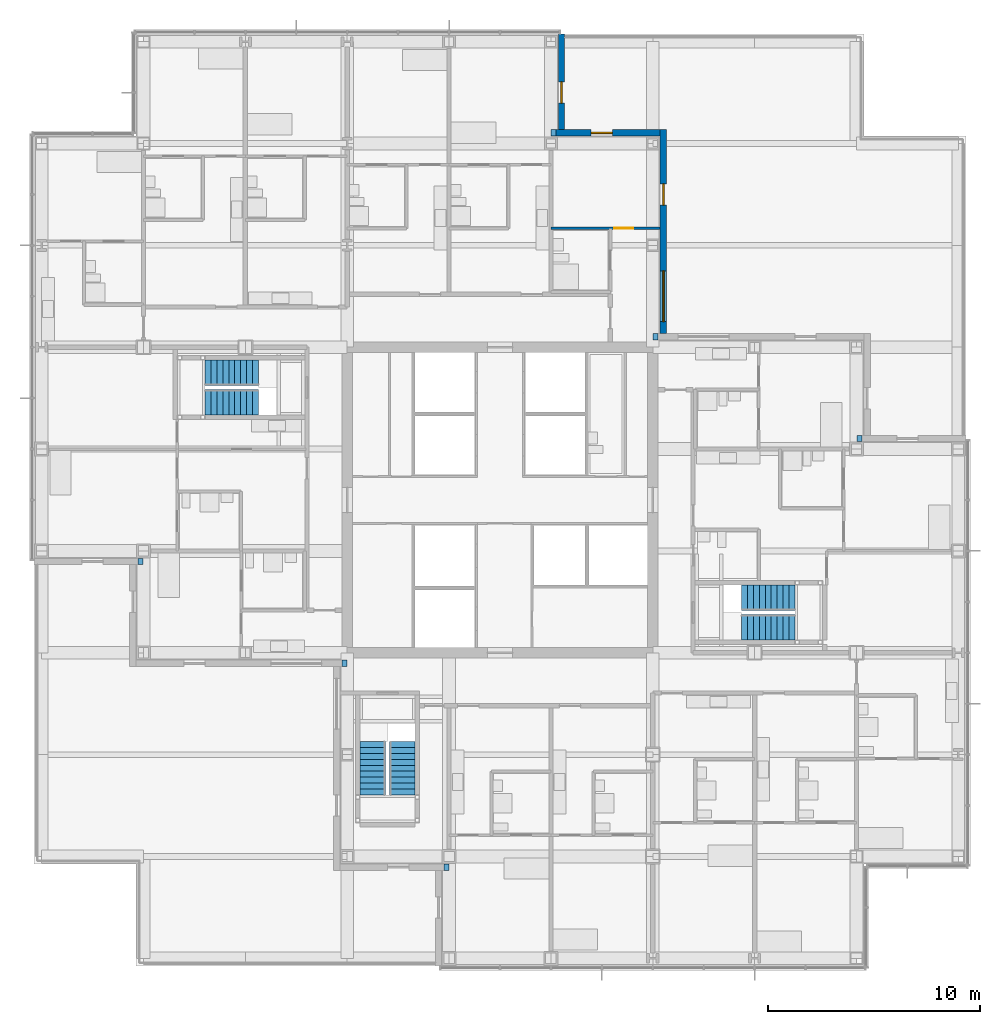
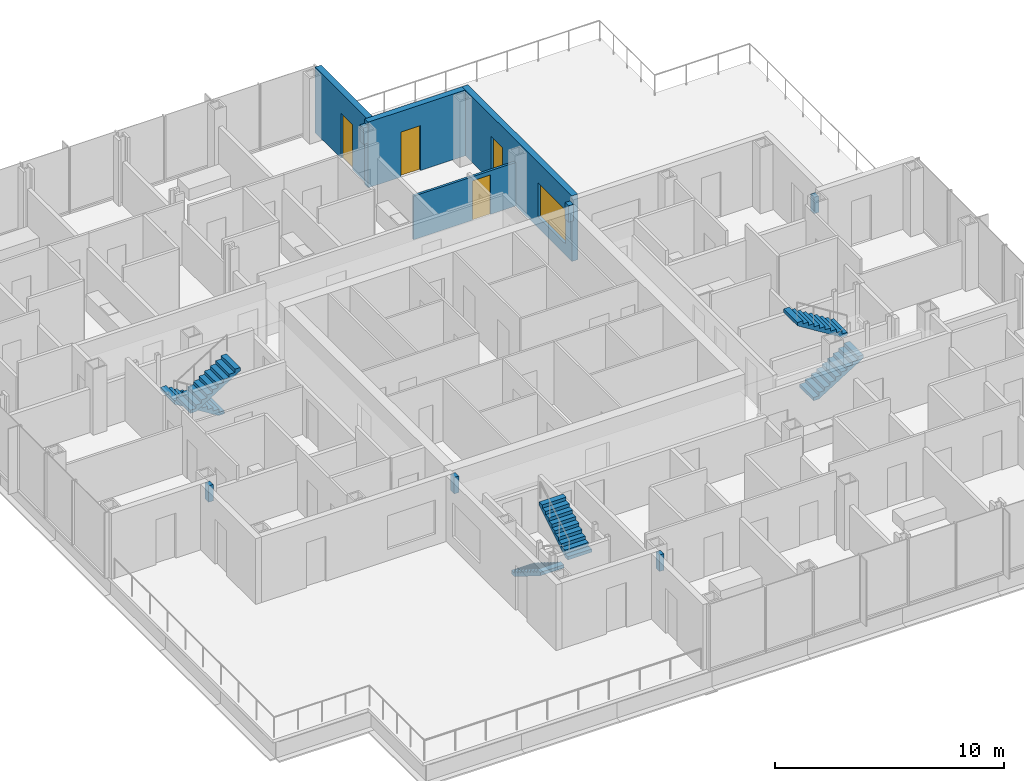
# One storey, part 16 of 19: 10 walls, 6 stair flights, 4 doors, 1 window, 5 openings, 3 elements without a shape of their own.
"""IFC4 building model written with IfcOpenShell, lengths in metres."""

import ifcopenshell
import ifcopenshell.guid

model = None  # the IFC model being written
_history = None  # IfcOwnerHistory: only IFC2X3 demands one
_inside = {}  # id of a spatial element -> (the spatial element, [elements in it])
_under = {}  # id of a project, library or spatial element -> (it, [spatial elements below it])
_declared = {}  # id of a project -> (the project, [libraries it declares])
_typed = {}  # id of a type object -> (the type object, [elements of that type])
_made_of = {}  # id of a material, layer set ... -> (it, [elements and type objects made of it])


def new_model(schema):
    """Start an empty IFC model of exactly this schema.

    Asked for "IFC4X3", IfcOpenShell would pick the latest addendum, in which some entities
    have other attributes; the version numbers below select the first issue.
    IFC2X3 requires an IfcOwnerHistory on every rooted entity: one is made here for all.
    """
    global model, _history
    if schema == "IFC4X3":
        model = ifcopenshell.file(schema_version=(4, 3, 0, 0))
    else:
        model = ifcopenshell.file(schema=schema)
    _inside.clear()
    _under.clear()
    _declared.clear()
    _typed.clear()
    _made_of.clear()
    _history = None
    if model.schema == "IFC2X3":
        org = make("IfcOrganization", Name="unknown")
        user = make(
            "IfcPersonAndOrganization",
            ThePerson=make("IfcPerson", FamilyName="unknown"),
            TheOrganization=org,
        )
        app = make(
            "IfcApplication",
            ApplicationDeveloper=org,
            Version="unknown",
            ApplicationFullName="unknown",
            ApplicationIdentifier="unknown",
        )
        _history = make(
            "IfcOwnerHistory",
            OwningUser=user,
            OwningApplication=app,
            ChangeAction="ADDED",
            CreationDate=0,
        )
    return model


def make(cls, **values):
    """One entity of the class cls with the attributes given. An attribute that is None is left unset."""
    return model.create_entity(
        cls, **{name: value for name, value in values.items() if value is not None}
    )


def rooted(cls, **values):
    """An entity with a GlobalId (a new one), such as an element, a storey or a relation."""
    return make(cls, GlobalId=ifcopenshell.guid.new(), OwnerHistory=_history, **values)


def si_unit(unit_type, name, prefix=None):
    """IfcSIUnit, for example si_unit("LENGTHUNIT", "METRE", prefix="MILLI")."""
    return make("IfcSIUnit", UnitType=unit_type, Prefix=prefix, Name=name)


def assignment(units):
    """IfcUnitAssignment: the units of a project."""
    return None if units is None else make("IfcUnitAssignment", Units=units)


def point(xyz):
    """IfcCartesianPoint."""
    return None if xyz is None else make("IfcCartesianPoint", Coordinates=xyz)


def direction(xyz):
    """IfcDirection."""
    return None if xyz is None else make("IfcDirection", DirectionRatios=xyz)


def frame(location, z_axis=None, x_axis=None):
    """IfcAxis2Placement3D, a coordinate frame: its origin and axes. An axis left out is left unset."""
    return make(
        "IfcAxis2Placement3D",
        Location=point(location),
        Axis=direction(z_axis),
        RefDirection=direction(x_axis),
    )


def frame_2d(location, x_axis=None):
    """IfcAxis2Placement2D, a coordinate frame in the plane: its origin and x axis."""
    return make(
        "IfcAxis2Placement2D", Location=point(location), RefDirection=direction(x_axis)
    )


def origin():
    """The frame at (0, 0, 0) with its axes left unset."""
    return frame((0.0, 0.0, 0.0))


def place(relative_to, where):
    """IfcLocalPlacement: puts the frame where relative to a parent placement (None: the world)."""
    return make(
        "IfcLocalPlacement", PlacementRelTo=relative_to, RelativePlacement=where
    )


def context(
    kind, dimensions, precision=None, world=None, true_north=None, identifier=None
):
    """IfcGeometricRepresentationContext, for example the 3D "Model" context."""
    return make(
        "IfcGeometricRepresentationContext",
        ContextIdentifier=identifier,
        ContextType=kind,
        CoordinateSpaceDimension=dimensions,
        Precision=precision,
        WorldCoordinateSystem=world,
        TrueNorth=true_north,
    )


def subcontext(parent, identifier, kind, view, scale=None):
    """IfcGeometricRepresentationSubContext, for example "Body" below "Model"."""
    return make(
        "IfcGeometricRepresentationSubContext",
        ContextIdentifier=identifier,
        ContextType=kind,
        ParentContext=parent,
        TargetScale=scale,
        TargetView=view,
    )


def project(units=None, contexts=None):
    """IfcProject with its units and contexts."""
    return rooted(
        "IfcProject",
        Name="project",
        RepresentationContexts=contexts,
        UnitsInContext=assignment(units),
    )


def spatial(cls, under=None, at=None, **own):
    """A site, building, storey or space (cls), placed at a placement, below another one or the project."""
    s = rooted(cls, ObjectPlacement=at, **own)
    if under is not None:
        _under.setdefault(under.id(), (under, []))[1].append(s)
    return s


def polyline(points):
    """IfcPolyline through the points."""
    return make("IfcPolyline", Points=[point(p) for p in points])


def profile(cls, at=None, kind="AREA", **sizes):
    """A parametric profile (cls). Its sizes go by their IFC names, for example OverallWidth=200.0."""
    return make(cls, ProfileType=kind, Position=at, **sizes)


def rectangle(**sizes):
    """IfcRectangleProfileDef."""
    return profile("IfcRectangleProfileDef", **sizes)


def outline(outer, holes=None, kind="AREA"):
    """IfcArbitraryClosedProfileDef: a profile drawn as a closed curve; with holes, ...WithVoids."""
    if holes is None:
        return make("IfcArbitraryClosedProfileDef", ProfileType=kind, OuterCurve=outer)
    return make(
        "IfcArbitraryProfileDefWithVoids",
        ProfileType=kind,
        OuterCurve=outer,
        InnerCurves=holes,
    )


def extrude(swept, where, along, depth):
    """IfcExtrudedAreaSolid: the profile swept, set in the frame where, extruded along a direction by depth."""
    return make(
        "IfcExtrudedAreaSolid",
        SweptArea=swept,
        Position=where,
        ExtrudedDirection=direction(along),
        Depth=depth,
    )


def shape(context_of_items, identifier, shape_type, items):
    """IfcShapeRepresentation: the items that make up one representation, for example the "Body"."""
    return make(
        "IfcShapeRepresentation",
        ContextOfItems=context_of_items,
        RepresentationIdentifier=identifier,
        RepresentationType=shape_type,
        Items=items,
    )


def material(Name=None, Category=None):
    """IfcMaterial."""
    return make("IfcMaterial", Name=Name, Category=Category)


def layer(
    of_material, thickness, ventilated=None, Name=None, Category=None, Priority=None
):
    """IfcMaterialLayer: one layer of a wall or slab, of a material (None: an air gap)."""
    return make(
        "IfcMaterialLayer",
        Material=of_material,
        LayerThickness=thickness,
        IsVentilated=ventilated,
        Name=Name,
        Category=Category,
        Priority=Priority,
    )


def layer_set(layers, Name=None):
    """IfcMaterialLayerSet."""
    return make("IfcMaterialLayerSet", MaterialLayers=layers, LayerSetName=Name)


def made_of(thing, what):
    """Note that an element or type object is made of a material, layer set ...; save() writes the relation."""
    if what is not None:
        _made_of.setdefault(what.id(), (what, []))[1].append(thing)
    return thing


def type_object(cls, material=None, **own):
    """A type object (cls), such as IfcWallType, which elements share."""
    return made_of(rooted(cls, **own), material)


def element(
    cls,
    number,
    at=None,
    inside=None,
    cuts=None,
    type_object=None,
    material=None,
    context=None,
    identifier="Body",
    shape_type=None,
    held_by="IfcProductDefinitionShape",
    body=None,
    shapes=None,
    **own,
):
    """One element of the class cls, such as IfcWall. Its Tag is "e" and its number.

    at: its placement. inside: the storey or other place that contains it. cuts: it is an
    opening in that element (IfcRelVoidsElement). A single representation is given by context,
    identifier, shape_type and body (its items); several are given by shapes. held_by: the class
    of the entity that holds the representations. save() writes the other relations.
    """
    e = rooted(cls, Tag="e%d" % number, ObjectPlacement=at, **own)
    if body is not None:
        shapes = [shape(context, identifier, shape_type, body)]
    if shapes is not None:
        e.Representation = make(held_by, Representations=shapes)
    if inside is not None:
        _inside.setdefault(inside.id(), (inside, []))[1].append(e)
    if cuts is not None:
        rooted(
            "IfcRelVoidsElement", RelatingBuildingElement=cuts, RelatedOpeningElement=e
        )
    if type_object is not None:
        _typed.setdefault(type_object.id(), (type_object, []))[1].append(e)
    return made_of(e, material)


def fill(opening, filler):
    """IfcRelFillsElement: the door or window that sits in an opening."""
    return rooted(
        "IfcRelFillsElement",
        RelatingOpeningElement=opening,
        RelatedBuildingElement=filler,
    )


def aggregate(whole, parts):
    """IfcRelAggregates: a whole, such as a stair, and the parts it consists of."""
    return rooted("IfcRelAggregates", RelatingObject=whole, RelatedObjects=parts)


def save(model, path):
    """Write the relations noted so far, then the file.

    IfcRelAggregates (storeys below a building ...), IfcRelContainedInSpatialStructure (elements
    in a storey), IfcRelDefinesByType, IfcRelAssociatesMaterial and IfcRelDeclares: one each for
    every whole, place, type object, material and project.
    """
    for whole, parts in _under.values():
        aggregate(whole, parts)
    for where, things in _inside.values():
        rooted(
            "IfcRelContainedInSpatialStructure",
            RelatedElements=things,
            RelatingStructure=where,
        )
    for kind, things in _typed.values():
        rooted("IfcRelDefinesByType", RelatedObjects=things, RelatingType=kind)
    for what, things in _made_of.values():
        rooted("IfcRelAssociatesMaterial", RelatedObjects=things, RelatingMaterial=what)
    for by, libraries in _declared.values():
        rooted("IfcRelDeclares", RelatingContext=by, RelatedDefinitions=libraries)
    model.write(path)


model = new_model("IFC4")

# Units and contexts
model_context = context("Model", 3, precision=1e-05, world=origin(), true_north=direction((0.0, 1.0)))
body_context = subcontext(model_context, "Body", "Model", "MODEL_VIEW")
ifc_project = project(units=[si_unit("LENGTHUNIT", "METRE"), si_unit("AREAUNIT", "SQUARE_METRE"), si_unit("VOLUMEUNIT", "CUBIC_METRE"), si_unit("PLANEANGLEUNIT", "RADIAN"), si_unit("MASSUNIT", "GRAM", prefix="KILO")], contexts=[model_context])

# Site, building, storey
site_placement = place(None, origin())
site = spatial("IfcSite", under=ifc_project, at=site_placement, CompositionType="ELEMENT")
building_placement = place(site_placement, origin())
building = spatial("IfcBuilding", under=site, at=building_placement, Name="Kvirike Care Tower", CompositionType="ELEMENT")
storey_placement = place(building_placement, frame((0.0, 0.0, 84.0)))
storey = spatial("IfcBuildingStorey", under=building, at=storey_placement, Name="L22", CompositionType="ELEMENT", Elevation=84.0)

# Wall, opening, door
ifc_material_1 = material(Name="Plasterboard partition", Category="gypsum")
ifc_layer_1 = layer(ifc_material_1, 0.1201171875)
ifc_layer_set_1 = layer_set([ifc_layer_1], Name="PARTITION 120")
wall_type_1 = type_object("IfcWallType", Name="PARTITION 120", PredefinedType="PARTITIONING", material=ifc_layer_set_1)
wall_1_placement = place(storey_placement, frame((29.14990234375, 48.800048828125, 0.0), z_axis=(0.0, 0.0, 1.0), x_axis=(-1.0, 0.0, 0.0)))
wall_1 = element("IfcWall", 1, at=wall_1_placement, inside=storey, type_object=wall_type_1, Name="Partition 120 L22", PredefinedType="PARTITIONING", context=body_context, shape_type="SweptSolid", body=[
    extrude(rectangle(XDim=5.14990234375, YDim=0.1201171875, at=frame_2d((2.574951171875, 0.0))), origin(), (0.0, 0.0, 1.0), 2.320068359375),
])
opening_1_placement = place(wall_1_placement, frame((1.27490234375, 0.0, 0.0)))
opening_1 = element("IfcOpeningElement", 2, at=opening_1_placement, cuts=wall_1, Name="Opening 22-027", PredefinedType="OPENING", context=body_context, shape_type="SweptSolid", body=[
    extrude(rectangle(XDim=0.89990234375, YDim=2.10009765625, at=frame_2d((0.449951171875, 1.050048828125))), frame((0.0, 0.070556640625, 0.0), z_axis=(0.0, -1.0, 0.0), x_axis=(1.0, 0.0, 0.0)), (0.0, 0.0, 1.0), 0.14111328125),
])
ifc_material_2 = material(Name="Timber door set", Category="wood")
door_type_1 = type_object("IfcDoorType", Name="INTERNAL DOOR 900", OperationType="SINGLE_SWING_LEFT", PredefinedType="DOOR", material=ifc_material_2)
door_1_placement = place(opening_1_placement, origin())
door_1 = element("IfcDoor", 3, at=door_1_placement, inside=storey, type_object=door_type_1, Name="Care lounge door", OperationType="SINGLE_SWING_LEFT", OverallHeight=2.10009765625, OverallWidth=0.89990234375, PredefinedType="DOOR", context=body_context, shape_type="SweptSolid", body=[
    extrude(rectangle(XDim=0.89990234375, YDim=2.10009765625, at=frame_2d((0.449951171875, 1.050048828125))), frame((0.0, 0.02197265625, 0.0), z_axis=(0.0, -1.0, 0.0), x_axis=(1.0, 0.0, 0.0)), (0.0, 0.0, 1.0), 0.0439453125),
])
fill(opening_1, door_1)

# Wall, openings, door, window
ifc_material_3 = material(Name="Bronze-clad insulated blockwork wall", Category="masonry")
ifc_layer_2 = layer(ifc_material_3, 0.300048828125)
ifc_layer_set_2 = layer_set([ifc_layer_2], Name="TERRACE WALL 300")
wall_type_2 = type_object("IfcWallType", Name="TERRACE WALL 300", PredefinedType="SOLIDWALL", material=ifc_layer_set_2)
wall_2_placement = place(storey_placement, frame((29.300048828125, 43.85009765625, 0.0), z_axis=(0.0, 0.0, 1.0), x_axis=(0.0, 1.0, 0.0)))
wall_2 = element("IfcWall", 4, at=wall_2_placement, inside=storey, type_object=wall_type_2, Name="Terrace wall L22 face 5", PredefinedType="SOLIDWALL", context=body_context, shape_type="SweptSolid", body=[
    extrude(rectangle(XDim=9.599853515625, YDim=0.300048828125, at=frame_2d((4.7998046875, 0.0))), origin(), (0.0, 0.0, 1.0), 3.5),
])
opening_2_placement = place(wall_2_placement, frame((6.050048828125, 0.0, 0.0)))
opening_2 = element("IfcOpeningElement", 5, at=opening_2_placement, cuts=wall_2, Name="Opening 22-804", PredefinedType="OPENING", context=body_context, shape_type="SweptSolid", body=[
    extrude(rectangle(XDim=1.0, YDim=2.39990234375, at=frame_2d((0.5, 1.199951171875))), frame((0.0, 0.16064453125, 0.0), z_axis=(0.0, -1.0, 0.0), x_axis=(1.0, 0.0, 0.0)), (0.0, 0.0, 1.0), 0.321044921875),
])
opening_3_placement = place(wall_2_placement, frame((0.550048828125, 0.0, 0.60009765625)))
opening_3 = element("IfcOpeningElement", 6, at=opening_3_placement, cuts=wall_2, Name="Opening W01", PredefinedType="OPENING", context=body_context, shape_type="SweptSolid", body=[
    extrude(rectangle(XDim=2.39990234375, YDim=1.800048828125, at=frame_2d((1.199951171875, 0.89990234375))), frame((0.0, 0.16064453125, 0.0), z_axis=(0.0, -1.0, 0.0), x_axis=(1.0, 0.0, 0.0)), (0.0, 0.0, 1.0), 0.321044921875),
])
ifc_material_4 = material(Name="Aluminium door frame", Category="aluminium")
door_type_2 = type_object("IfcDoorType", Name="TERRACE DOOR 1000", OperationType="SINGLE_SWING_LEFT", PredefinedType="DOOR", material=ifc_material_4)
door_2_placement = place(opening_2_placement, origin())
door_2 = element("IfcDoor", 7, at=door_2_placement, inside=storey, type_object=door_type_2, Name="Care lounge terrace door", OperationType="SINGLE_SWING_LEFT", OverallHeight=2.39990234375, OverallWidth=1.0, PredefinedType="DOOR", context=body_context, shape_type="SweptSolid", body=[
    extrude(rectangle(XDim=1.0, YDim=2.39990234375, at=frame_2d((0.5, 1.199951171875))), frame((0.0, 0.03515625, 0.0), z_axis=(0.0, -1.0, 0.0), x_axis=(1.0, 0.0, 0.0)), (0.0, 0.0, 1.0), 0.070068359375),
])
fill(opening_2, door_2)
ifc_material_5 = material(Name="Bronze anodised aluminium window", Category="aluminium")
window_type = type_object("IfcWindowType", Name="TERRACE WINDOW 2400", PartitioningType="SINGLE_PANEL", PredefinedType="WINDOW", material=ifc_material_5)
window_placement = place(opening_3_placement, origin())
window = element("IfcWindow", 8, at=window_placement, inside=storey, type_object=window_type, Name="Terrace Window 2400 L22", OverallHeight=1.800048828125, OverallWidth=2.39990234375, PartitioningType="SINGLE_PANEL", PredefinedType="WINDOW", context=body_context, shape_type="SweptSolid", body=[
    extrude(rectangle(XDim=2.39990234375, YDim=1.800048828125, at=frame_2d((1.199951171875, 0.89990234375))), frame((0.0, 0.030029296875, 0.0), z_axis=(0.0, -1.0, 0.0), x_axis=(1.0, 0.0, 0.0)), (0.0, 0.0, 1.0), 0.06005859375),
])
fill(opening_3, window)

# Wall, opening, door
wall_3_placement = place(storey_placement, frame((29.14990234375, 53.300048828125, 0.0), z_axis=(0.0, 0.0, 1.0), x_axis=(-1.0, 0.0, 0.0)))
wall_3 = element("IfcWall", 9, at=wall_3_placement, inside=storey, type_object=wall_type_2, Name="Terrace wall L22 face 6", PredefinedType="SOLIDWALL", context=body_context, shape_type="SweptSolid", body=[
    extrude(rectangle(XDim=4.89990234375, YDim=0.300048828125, at=frame_2d((2.449951171875, 0.0))), origin(), (0.0, 0.0, 1.0), 3.5),
])
opening_4_placement = place(wall_3_placement, frame((2.25, 0.0, 0.0)))
opening_4 = element("IfcOpeningElement", 10, at=opening_4_placement, cuts=wall_3, Name="Opening 22-805", PredefinedType="OPENING", context=body_context, shape_type="SweptSolid", body=[
    extrude(rectangle(XDim=1.0, YDim=2.39990234375, at=frame_2d((0.5, 1.199951171875))), frame((0.0, 0.16064453125, 0.0), z_axis=(0.0, -1.0, 0.0), x_axis=(1.0, 0.0, 0.0)), (0.0, 0.0, 1.0), 0.321044921875),
])
door_3_placement = place(opening_4_placement, origin())
door_3 = element("IfcDoor", 11, at=door_3_placement, inside=storey, type_object=door_type_2, Name="Care lounge terrace door", OperationType="SINGLE_SWING_LEFT", OverallHeight=2.39990234375, OverallWidth=1.0, PredefinedType="DOOR", context=body_context, shape_type="SweptSolid", body=[
    extrude(rectangle(XDim=1.0, YDim=2.39990234375, at=frame_2d((0.5, 1.199951171875))), frame((0.0, 0.03515625, 0.0), z_axis=(0.0, -1.0, 0.0), x_axis=(1.0, 0.0, 0.0)), (0.0, 0.0, 1.0), 0.070068359375),
])
fill(opening_4, door_3)

wall_4_placement = place(storey_placement, frame((24.5, 53.449951171875, 0.0), z_axis=(0.0, 0.0, 1.0), x_axis=(0.0, 1.0, 0.0)))
wall_4 = element("IfcWall", 12, at=wall_4_placement, inside=storey, type_object=wall_type_2, Name="Terrace wall L22 face 7", PredefinedType="SOLIDWALL", context=body_context, shape_type="SweptSolid", body=[
    extrude(rectangle(XDim=4.5, YDim=0.300048828125, at=frame_2d((2.25, 0.0))), origin(), (0.0, 0.0, 1.0), 3.5),
])
opening_5_placement = place(wall_4_placement, frame((1.25, 0.0, 0.0)))
opening_5 = element("IfcOpeningElement", 13, at=opening_5_placement, cuts=wall_4, Name="Opening 22-806", PredefinedType="OPENING", context=body_context, shape_type="SweptSolid", body=[
    extrude(rectangle(XDim=1.0, YDim=2.39990234375, at=frame_2d((0.5, 1.199951171875))), frame((0.0, 0.16064453125, 0.0), z_axis=(0.0, -1.0, 0.0), x_axis=(1.0, 0.0, 0.0)), (0.0, 0.0, 1.0), 0.321044921875),
])
door_4_placement = place(opening_5_placement, origin())
door_4 = element("IfcDoor", 14, at=door_4_placement, inside=storey, type_object=door_type_2, Name="Assisted living suite terrace door", OperationType="SINGLE_SWING_LEFT", OverallHeight=2.39990234375, OverallWidth=1.0, PredefinedType="DOOR", context=body_context, shape_type="SweptSolid", body=[
    extrude(rectangle(XDim=1.0, YDim=2.39990234375, at=frame_2d((0.5, 1.199951171875))), frame((0.0, 0.03515625, 0.0), z_axis=(0.0, -1.0, 0.0), x_axis=(1.0, 0.0, 0.0)), (0.0, 0.0, 1.0), 0.070068359375),
])
fill(opening_5, door_4)

# Walls
wall_5_placement = place(storey_placement, frame((38.64990234375, 38.89990234375, 2.389892578125), z_axis=(0.0, 0.0, 1.0), x_axis=(-1.0, 0.0, 0.0)))
element("IfcWall", 15, at=wall_5_placement, inside=storey, type_object=wall_type_2, Name="Terrace wall L22 face 2 return", PredefinedType="SOLIDWALL", context=body_context, shape_type="SweptSolid", body=[
    extrude(rectangle(XDim=0.23486328125, YDim=0.300048828125, at=frame_2d((0.117431640625, 0.0))), origin(), (0.0, 0.0, 1.0), 0.880126953125),
])
for number, where, z_axis, x_axis, name in (
    (16, (29.050048828125, 43.699951171875, 2.389892578125), (0.0, 0.0, 1.0), (-1.0, 0.0, 0.0), "Terrace wall L22 face 4 return"),
    (17, (24.25, 53.300048828125, 2.389892578125), (0.0, 0.0, 1.0), (-1.0, 0.0, 0.0), "Terrace wall L22 face 6 return"),
):
    element("IfcWall", number, at=place(storey_placement, frame(where, z_axis=z_axis, x_axis=x_axis)), inside=storey, type_object=wall_type_2, Name=name, PredefinedType="SOLIDWALL", context=body_context, shape_type="SweptSolid", body=[
        extrude(rectangle(XDim=0.235107421875, YDim=0.300048828125, at=frame_2d((0.11767578125, 0.0))), origin(), (0.0, 0.0, 1.0), 0.880126953125),
    ])
wall_6_placement = place(storey_placement, frame((4.550048828125, 33.10009765625, 2.389892578125), z_axis=(0.0, 0.0, 1.0), x_axis=(1.0, 0.0, 0.0)))
element("IfcWall", 18, at=wall_6_placement, inside=storey, type_object=wall_type_2, Name="Terrace wall L22 face 12 return", PredefinedType="SOLIDWALL", context=body_context, shape_type="SweptSolid", body=[
    extrude(rectangle(XDim=0.23486328125, YDim=0.300048828125, at=frame_2d((0.117431640625, 0.0))), origin(), (0.0, 0.0, 1.0), 0.880126953125),
])
for number, where, z_axis, x_axis, name in (
    (19, (14.14990234375, 28.300048828125, 2.389892578125), (0.0, 0.0, 1.0), (1.0, 0.0, 0.0), "Terrace wall L22 face 14 return"),
    (20, (18.949951171875, 18.699951171875, 2.389892578125), (0.0, 0.0, 1.0), (1.0, 0.0, 0.0), "Terrace wall L22 face 16 return"),
):
    element("IfcWall", number, at=place(storey_placement, frame(where, z_axis=z_axis, x_axis=x_axis)), inside=storey, type_object=wall_type_2, Name=name, PredefinedType="SOLIDWALL", context=body_context, shape_type="SweptSolid", body=[
        extrude(rectangle(XDim=0.235107421875, YDim=0.300048828125, at=frame_2d((0.11767578125, 0.0))), origin(), (0.0, 0.0, 1.0), 0.880126953125),
    ])

# Stair, stair flights
ifc_material_6 = material(Name="Concrete C35/45", Category="concrete")
stair_type = type_object("IfcStairType", Name="STAIR 20 RISERS", PredefinedType="HALF_TURN_STAIR", material=ifc_material_6)
stair_1_placement = place(storey_placement, origin())
stair_1 = element("IfcStair", 21, at=stair_1_placement, inside=storey, type_object=stair_type, Name="Stair 1 L22", PredefinedType="HALF_TURN_STAIR")
ifc_material_7 = material(Name="Concrete C35/45", Category="concrete")
stair_flight_type = type_object("IfcStairFlightType", Name="FLIGHT 10 RISERS", PredefinedType="STRAIGHT", material=ifc_material_7)
stair_flight_1_placement = place(storey_placement, frame((10.219970703125, 42.0, 0.0), z_axis=(0.0, 0.0, 1.0), x_axis=(-1.0, 0.0, 0.0)))
stair_flight_1 = element("IfcStairFlight", 22, at=stair_flight_1_placement, type_object=stair_flight_type, Name="Stair S1 flight 1 L22-L23", NumberOfRisers=10, NumberOfTreads=9, PredefinedType="STRAIGHT", RiserHeight=0.175, TreadLength=0.28, context=body_context, shape_type="SweptSolid", body=[
    extrude(outline(polyline([(0.0, 0.0), (0.0, 0.175048828125), (0.280029296875, 0.175048828125), (0.280029296875, 0.35009765625), (0.56005859375, 0.35009765625), (0.56005859375, 0.52490234375), (0.840087890625, 0.52490234375), (0.840087890625, 0.699951171875), (1.1201171875, 0.699951171875), (1.1201171875, 0.875), (1.39990234375, 0.875), (1.39990234375, 1.050048828125), (1.679931640625, 1.050048828125), (1.679931640625, 1.22509765625), (1.9599609375, 1.22509765625), (1.9599609375, 1.39990234375), (2.239990234375, 1.39990234375), (2.239990234375, 1.574951171875), (2.52001953125, 1.574951171875), (2.52001953125, 1.75), (2.52001953125, 1.398193359375), (0.28271484375, 0.0), (0.0, 0.0)])), frame((0.0, 0.60009765625, 0.0), z_axis=(0.0, -1.0, 0.0), x_axis=(1.0, 0.0, 0.0)), (0.0, 0.0, 1.0), 1.199951171875),
])
stair_flight_2_placement = place(storey_placement, frame((7.699951171875, 40.60009765625, 1.75), z_axis=(0.0, 0.0, 1.0), x_axis=(1.0, 0.0, 0.0)))
stair_flight_2 = element("IfcStairFlight", 23, at=stair_flight_2_placement, type_object=stair_flight_type, Name="Stair S1 flight 2 L22-L23", NumberOfRisers=10, NumberOfTreads=9, PredefinedType="STRAIGHT", RiserHeight=0.175, TreadLength=0.28, context=body_context, shape_type="SweptSolid", body=[
    extrude(outline(polyline([(0.0, 0.0), (0.0, 0.175048828125), (0.280029296875, 0.175048828125), (0.280029296875, 0.35009765625), (0.56005859375, 0.35009765625), (0.56005859375, 0.52490234375), (0.840087890625, 0.52490234375), (0.840087890625, 0.699951171875), (1.1201171875, 0.699951171875), (1.1201171875, 0.875), (1.39990234375, 0.875), (1.39990234375, 1.050048828125), (1.679931640625, 1.050048828125), (1.679931640625, 1.22509765625), (1.9599609375, 1.22509765625), (1.9599609375, 1.39990234375), (2.239990234375, 1.39990234375), (2.239990234375, 1.574951171875), (2.52001953125, 1.574951171875), (2.52001953125, 1.75), (2.52001953125, 1.398193359375), (0.28271484375, 0.0), (0.0, 0.0)])), frame((0.0, 0.60009765625, 0.0), z_axis=(0.0, -1.0, 0.0), x_axis=(1.0, 0.0, 0.0)), (0.0, 0.0, 1.0), 1.199951171875),
])
aggregate(stair_1, [stair_flight_1, stair_flight_2])

stair_2_placement = place(storey_placement, origin())
stair_2 = element("IfcStair", 24, at=stair_2_placement, inside=storey, type_object=stair_type, Name="Stair 2 L22", PredefinedType="HALF_TURN_STAIR")
stair_flight_3_placement = place(storey_placement, frame((32.97998046875, 30.0, 0.0), z_axis=(0.0, 0.0, 1.0), x_axis=(1.0, 0.0, 0.0)))
stair_flight_3 = element("IfcStairFlight", 25, at=stair_flight_3_placement, type_object=stair_flight_type, Name="Stair S2 flight 1 L22-L23", NumberOfRisers=10, NumberOfTreads=9, PredefinedType="STRAIGHT", RiserHeight=0.175, TreadLength=0.28, context=body_context, shape_type="SweptSolid", body=[
    extrude(outline(polyline([(0.0, 0.0), (0.0, 0.175048828125), (0.280029296875, 0.175048828125), (0.280029296875, 0.35009765625), (0.56005859375, 0.35009765625), (0.56005859375, 0.52490234375), (0.840087890625, 0.52490234375), (0.840087890625, 0.699951171875), (1.1201171875, 0.699951171875), (1.1201171875, 0.875), (1.39990234375, 0.875), (1.39990234375, 1.050048828125), (1.679931640625, 1.050048828125), (1.679931640625, 1.22509765625), (1.9599609375, 1.22509765625), (1.9599609375, 1.39990234375), (2.239990234375, 1.39990234375), (2.239990234375, 1.574951171875), (2.52001953125, 1.574951171875), (2.52001953125, 1.75), (2.52001953125, 1.398193359375), (0.28271484375, 0.0), (0.0, 0.0)])), frame((0.0, 0.60009765625, 0.0), z_axis=(0.0, -1.0, 0.0), x_axis=(1.0, 0.0, 0.0)), (0.0, 0.0, 1.0), 1.199951171875),
])
stair_flight_4_placement = place(storey_placement, frame((35.5, 31.39990234375, 1.75), z_axis=(0.0, 0.0, 1.0), x_axis=(-1.0, 0.0, 0.0)))
stair_flight_4 = element("IfcStairFlight", 26, at=stair_flight_4_placement, type_object=stair_flight_type, Name="Stair S2 flight 2 L22-L23", NumberOfRisers=10, NumberOfTreads=9, PredefinedType="STRAIGHT", RiserHeight=0.175, TreadLength=0.28, context=body_context, shape_type="SweptSolid", body=[
    extrude(outline(polyline([(0.0, 0.0), (0.0, 0.175048828125), (0.280029296875, 0.175048828125), (0.280029296875, 0.35009765625), (0.56005859375, 0.35009765625), (0.56005859375, 0.52490234375), (0.840087890625, 0.52490234375), (0.840087890625, 0.699951171875), (1.1201171875, 0.699951171875), (1.1201171875, 0.875), (1.39990234375, 0.875), (1.39990234375, 1.050048828125), (1.679931640625, 1.050048828125), (1.679931640625, 1.22509765625), (1.9599609375, 1.22509765625), (1.9599609375, 1.39990234375), (2.239990234375, 1.39990234375), (2.239990234375, 1.574951171875), (2.52001953125, 1.574951171875), (2.52001953125, 1.75), (2.52001953125, 1.398193359375), (0.28271484375, 0.0), (0.0, 0.0)])), frame((0.0, 0.60009765625, 0.0), z_axis=(0.0, -1.0, 0.0), x_axis=(1.0, 0.0, 0.0)), (0.0, 0.0, 1.0), 1.199951171875),
])
aggregate(stair_2, [stair_flight_3, stair_flight_4])

stair_3_placement = place(storey_placement, origin())
stair_3 = element("IfcStair", 27, at=stair_3_placement, inside=storey, type_object=stair_type, Name="Stair 5 L22", PredefinedType="HALF_TURN_STAIR")
stair_flight_5_placement = place(storey_placement, frame((15.60009765625, 24.6201171875, 0.0), z_axis=(0.0, 0.0, 1.0), x_axis=(0.0, -1.0, 0.0)))
stair_flight_5 = element("IfcStairFlight", 28, at=stair_flight_5_placement, type_object=stair_flight_type, Name="Stair S5 flight 1 L22-L23", NumberOfRisers=10, NumberOfTreads=9, PredefinedType="STRAIGHT", RiserHeight=0.175, TreadLength=0.28, context=body_context, shape_type="SweptSolid", body=[
    extrude(outline(polyline([(0.0, 0.0), (0.0, 0.175048828125), (0.280029296875, 0.175048828125), (0.280029296875, 0.35009765625), (0.56005859375, 0.35009765625), (0.56005859375, 0.52490234375), (0.840087890625, 0.52490234375), (0.840087890625, 0.699951171875), (1.1201171875, 0.699951171875), (1.1201171875, 0.875), (1.39990234375, 0.875), (1.39990234375, 1.050048828125), (1.679931640625, 1.050048828125), (1.679931640625, 1.22509765625), (1.9599609375, 1.22509765625), (1.9599609375, 1.39990234375), (2.239990234375, 1.39990234375), (2.239990234375, 1.574951171875), (2.52001953125, 1.574951171875), (2.52001953125, 1.75), (2.52001953125, 1.398193359375), (0.28271484375, 0.0), (0.0, 0.0)])), frame((0.0, 0.60009765625, 0.0), z_axis=(0.0, -1.0, 0.0), x_axis=(1.0, 0.0, 0.0)), (0.0, 0.0, 1.0), 1.199951171875),
])
stair_flight_6_placement = place(storey_placement, frame((17.0, 22.10009765625, 1.75), z_axis=(0.0, 0.0, 1.0), x_axis=(0.0, 1.0, 0.0)))
stair_flight_6 = element("IfcStairFlight", 29, at=stair_flight_6_placement, type_object=stair_flight_type, Name="Stair S5 flight 2 L22-L23", NumberOfRisers=10, NumberOfTreads=9, PredefinedType="STRAIGHT", RiserHeight=0.175, TreadLength=0.28, context=body_context, shape_type="SweptSolid", body=[
    extrude(outline(polyline([(0.0, 0.0), (0.0, 0.175048828125), (0.280029296875, 0.175048828125), (0.280029296875, 0.35009765625), (0.56005859375, 0.35009765625), (0.56005859375, 0.52490234375), (0.840087890625, 0.52490234375), (0.840087890625, 0.699951171875), (1.1201171875, 0.699951171875), (1.1201171875, 0.875), (1.39990234375, 0.875), (1.39990234375, 1.050048828125), (1.679931640625, 1.050048828125), (1.679931640625, 1.22509765625), (1.9599609375, 1.22509765625), (1.9599609375, 1.39990234375), (2.239990234375, 1.39990234375), (2.239990234375, 1.574951171875), (2.52001953125, 1.574951171875), (2.52001953125, 1.75), (2.52001953125, 1.398193359375), (0.28271484375, 0.0), (0.0, 0.0)])), frame((0.0, 0.60009765625, 0.0), z_axis=(0.0, -1.0, 0.0), x_axis=(1.0, 0.0, 0.0)), (0.0, 0.0, 1.0), 1.199951171875),
])
aggregate(stair_3, [stair_flight_5, stair_flight_6])

save(model, "model.ifc")
